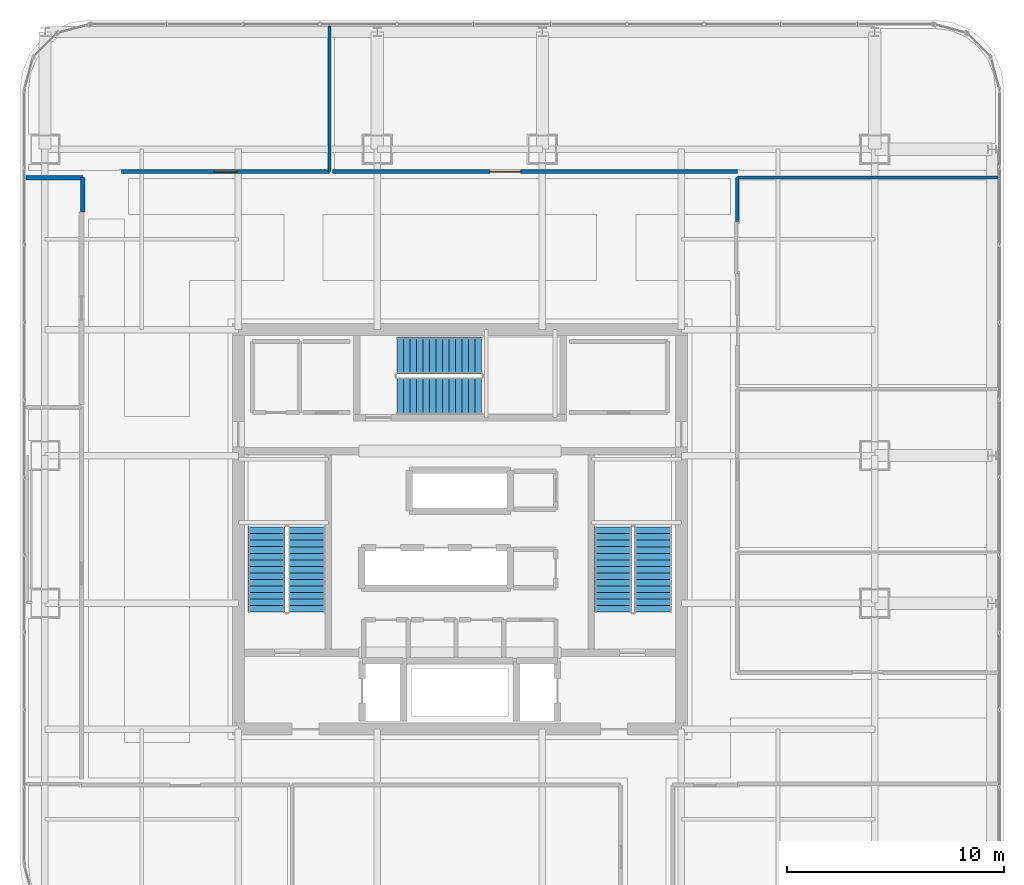
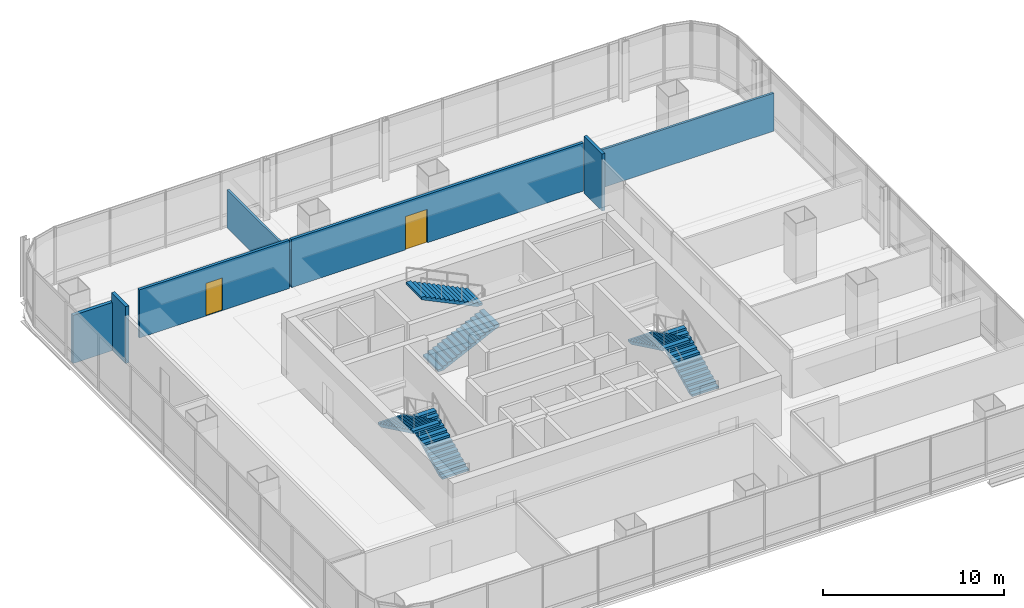
# One storey, part 35 of 42: 7 walls, 6 stair flights, 2 doors, 2 openings, 3 elements without a shape of their own.
"""IFC4 building model written with IfcOpenShell, lengths in metres."""

from ifc_helpers import new_model, si_unit, direction, frame, frame_2d, origin, place, context, subcontext, project, spatial, polyline, rectangle, outline, extrude, material, layer, layer_set, type_object, element, fill, aggregate, save


model = new_model("IFC4")

# Units and contexts
model_context = context("Model", 3, precision=1e-05, world=origin(), true_north=direction((0.0, 1.0)))
body_context = subcontext(model_context, "Body", "Model", "MODEL_VIEW")
ifc_project = project(units=[si_unit("LENGTHUNIT", "METRE"), si_unit("AREAUNIT", "SQUARE_METRE"), si_unit("VOLUMEUNIT", "CUBIC_METRE"), si_unit("PLANEANGLEUNIT", "RADIAN"), si_unit("MASSUNIT", "GRAM", prefix="KILO")], contexts=[model_context])

# Site, building, storey
site_placement = place(None, origin())
site = spatial("IfcSite", under=ifc_project, at=site_placement, CompositionType="ELEMENT")
building_placement = place(site_placement, origin())
building = spatial("IfcBuilding", under=site, at=building_placement, Name="Punatoya Terracotta Tower", CompositionType="ELEMENT")
storey_placement = place(building_placement, frame((0.0, 0.0, 263.550048828125)))
storey = spatial("IfcBuildingStorey", under=building, at=storey_placement, Name="L62", CompositionType="ELEMENT", Elevation=263.550048828125)

# Wall
ifc_material_1 = material(Name="Gypsum Fireboard + Steel Stud", Category="steel")
ifc_layer_1 = layer(ifc_material_1, 0.179931640625)
ifc_layer_set_1 = layer_set([ifc_layer_1], Name="Gypsum Fireboard + Steel Stud")
wall_type_1 = type_object("IfcWallType", Name="WL-CORR-180", PredefinedType="PARTITIONING", material=ifc_layer_set_1)
wall_1_placement = place(storey_placement, frame((12.77001953125, 14.179931640625, 0.0), z_axis=(0.0, 0.0, 1.0), x_axis=(0.0, 1.0, 0.0)))
element("IfcWall", 1, at=wall_1_placement, inside=storey, type_object=wall_type_1, Name="L62 Editorial Conference Room Partition 45", PredefinedType="PARTITIONING", context=body_context, shape_type="SweptSolid", body=[
    extrude(rectangle(XDim=2.010009765625, YDim=0.179931640625, at=frame_2d((1.0048828125, 0.0))), origin(), (0.0, 0.0, 1.0), 3.849853515625),
])

# Wall, opening, door
wall_2_placement = place(storey_placement, frame((-5.993896484375, 16.469970703125, 0.0), z_axis=(0.0, 0.0, 1.0), x_axis=(-1.0, 0.0, 0.0)))
wall_2 = element("IfcWall", 2, at=wall_2_placement, inside=storey, type_object=wall_type_1, Name="L62 Open-Plan Client Briefing Office Partition 48", PredefinedType="PARTITIONING", context=body_context, shape_type="SweptSolid", body=[
    extrude(rectangle(XDim=9.576171875, YDim=0.179931640625, at=frame_2d((4.7880859375, 0.0))), origin(), (0.0, 0.0, 1.0), 3.243896484375),
])
opening_1_placement = place(wall_2_placement, frame((4.262939453125, 0.0, 0.0)))
opening_1 = element("IfcOpeningElement", 3, at=opening_1_placement, cuts=wall_2, Name="Opening OD-01", PredefinedType="OPENING", context=body_context, shape_type="SweptSolid", body=[
    extrude(rectangle(XDim=1.050048828125, YDim=2.199951171875, at=frame_2d((0.52490234375, 1.10009765625))), frame((0.0, 0.099853515625, 0.0), z_axis=(0.0, -1.0, 0.0), x_axis=(1.0, 0.0, 0.0)), (0.0, 0.0, 1.0), 0.199951171875),
])
ifc_material_2 = material(Name="Bengal Teak Solid-Core Leaf")
door_type_1 = type_object("IfcDoorType", Name="DR-OFF-1050", OperationType="NOTDEFINED", PredefinedType="DOOR", material=ifc_material_2)
door_1_placement = place(opening_1_placement, origin())
door_1 = element("IfcDoor", 4, at=door_1_placement, inside=storey, type_object=door_type_1, Name="L62 Open-Plan Client Briefing Office Door", OperationType="SINGLE_SWING_RIGHT", OverallHeight=2.199951171875, OverallWidth=1.050048828125, PredefinedType="DOOR", context=body_context, shape_type="SweptSolid", body=[
    extrude(rectangle(XDim=1.050048828125, YDim=2.199951171875, at=frame_2d((0.52490234375, 1.10009765625))), frame((0.0, 0.02490234375, 0.0), z_axis=(0.0, -1.0, 0.0), x_axis=(1.0, 0.0, 0.0)), (0.0, 0.0, 1.0), 0.050048828125),
])
fill(opening_1, door_1)

wall_3_placement = place(storey_placement, frame((12.77001953125, 16.469970703125, 0.0), z_axis=(0.0, 0.0, 1.0), x_axis=(-1.0, 0.0, 0.0)))
wall_3 = element("IfcWall", 5, at=wall_3_placement, inside=storey, type_object=wall_type_1, Name="L62 Visualization Review Room Partition 49", PredefinedType="PARTITIONING", context=body_context, shape_type="SweptSolid", body=[
    extrude(rectangle(XDim=18.64404296875, YDim=0.179931640625, at=frame_2d((9.322021484375, 0.0))), origin(), (0.0, 0.0, 1.0), 3.243896484375),
])
opening_2_placement = place(wall_3_placement, frame((9.971923828125, 0.0, 0.0)))
opening_2 = element("IfcOpeningElement", 6, at=opening_2_placement, cuts=wall_3, Name="Opening BD-01", PredefinedType="OPENING", context=body_context, shape_type="SweptSolid", body=[
    extrude(rectangle(XDim=1.39990234375, YDim=2.25, at=frame_2d((0.699951171875, 1.125))), frame((0.0, 0.099853515625, 0.0), z_axis=(0.0, -1.0, 0.0), x_axis=(1.0, 0.0, 0.0)), (0.0, 0.0, 1.0), 0.199951171875),
])
ifc_material_3 = material(Name="Bengal Teak Acoustic Leaf")
door_type_2 = type_object("IfcDoorType", Name="DR-BRD-1400", OperationType="NOTDEFINED", PredefinedType="DOOR", material=ifc_material_3)
door_2_placement = place(opening_2_placement, origin())
door_2 = element("IfcDoor", 7, at=door_2_placement, inside=storey, type_object=door_type_2, Name="L62 Visualization Review Room Door", OperationType="SINGLE_SWING_LEFT", OverallHeight=2.25, OverallWidth=1.39990234375, PredefinedType="DOOR", context=body_context, shape_type="SweptSolid", body=[
    extrude(rectangle(XDim=1.39990234375, YDim=2.25, at=frame_2d((0.699951171875, 1.125))), frame((0.0, 0.02490234375, 0.0), z_axis=(0.0, -1.0, 0.0), x_axis=(1.0, 0.0, 0.0)), (0.0, 0.0, 1.0), 0.050048828125),
])
fill(opening_2, door_2)

# Walls
ifc_material_4 = material(Name="Concrete C40/50", Category="concrete")
ifc_layer_2 = layer(ifc_material_4, 0.219970703125)
ifc_layer_set_2 = layer_set([ifc_layer_2], Name="Concrete C40/50")
wall_type_2 = type_object("IfcWallType", Name="WL-FIR-220", PredefinedType="SOLIDWALL", material=ifc_layer_set_2)
wall_4_placement = place(storey_placement, frame((-19.969970703125, 16.18994140625, 0.0), z_axis=(0.0, 0.0, 1.0), x_axis=(1.0, 0.0, 0.0)))
element("IfcWall", 8, at=wall_4_placement, inside=storey, type_object=wall_type_2, Name="L62 Model-Making Archive Partition 40", PredefinedType="SOLIDWALL", context=body_context, shape_type="SweptSolid", body=[
    extrude(rectangle(XDim=2.60986328125, YDim=0.219970703125, at=frame_2d((1.304931640625, 0.0))), origin(), (0.0, 0.0, 1.0), 3.243896484375),
])
wall_5_placement = place(storey_placement, frame((-17.360107421875, 16.18994140625, 0.0), z_axis=(0.0, 0.0, 1.0), x_axis=(0.0, -1.0, 0.0)))
element("IfcWall", 9, at=wall_5_placement, inside=storey, type_object=wall_type_2, Name="L62 Model-Making Archive Partition 41", PredefinedType="SOLIDWALL", context=body_context, shape_type="SweptSolid", body=[
    extrude(rectangle(XDim=1.56982421875, YDim=0.219970703125, at=frame_2d((0.784912109375, 0.0))), origin(), (0.0, 0.0, 1.0), 3.849853515625),
])
ifc_material_5 = material(Name="Acoustic Gypsum + Steel Stud", Category="steel")
ifc_layer_3 = layer(ifc_material_5, 0.139892578125)
ifc_layer_set_3 = layer_set([ifc_layer_3], Name="Acoustic Gypsum + Steel Stud")
wall_type_3 = type_object("IfcWallType", Name="WL-OFF-140", PredefinedType="PARTITIONING", material=ifc_layer_set_3)
wall_6_placement = place(storey_placement, frame((12.77001953125, 16.18994140625, 0.0), z_axis=(0.0, 0.0, 1.0), x_axis=(1.0, 0.0, 0.0)))
element("IfcWall", 10, at=wall_6_placement, inside=storey, type_object=wall_type_3, Name="L62 Editorial Conference Room Partition 46", PredefinedType="PARTITIONING", context=body_context, shape_type="SweptSolid", body=[
    extrude(rectangle(XDim=12.0, YDim=0.139892578125, at=frame_2d((6.0, 0.0))), origin(), (0.0, 0.0, 1.0), 2.56396484375),
])
wall_7_placement = place(storey_placement, frame((-5.993896484375, 23.169921875, 0.0), z_axis=(0.0, 0.0, 1.0), x_axis=(0.0, -1.0, 0.0)))
element("IfcWall", 11, at=wall_7_placement, inside=storey, type_object=wall_type_3, Name="L62 Open-Plan Client Briefing Office Partition 47", PredefinedType="PARTITIONING", context=body_context, shape_type="SweptSolid", body=[
    extrude(rectangle(XDim=6.699951171875, YDim=0.139892578125, at=frame_2d((3.35009765625, 0.0))), origin(), (0.0, 0.0, 1.0), 2.56396484375),
])

# Stair, stair flights
stair_type_1 = type_object("IfcStairType", Name="STR-CORE-1550", PredefinedType="HALF_TURN_STAIR", material=ifc_material_4)
stair_1_placement = place(storey_placement, origin())
stair_1 = element("IfcStair", 12, at=stair_1_placement, inside=storey, type_object=stair_type_1, Name="L62 Protected Core Exit Stair ST-1", PredefinedType="HALF_TURN_STAIR")
stair_flight_type_1 = type_object("IfcStairFlightType", Name="SFL-CORE-1550", PredefinedType="STRAIGHT", material=ifc_material_4)
stair_flight_1_placement = place(storey_placement, frame((-7.050048828125, -3.800048828125, 0.0), z_axis=(0.0, 0.0, 1.0), x_axis=(0.0, 1.0, 0.0)))
stair_flight_1 = element("IfcStairFlight", 13, at=stair_flight_1_placement, type_object=stair_flight_type_1, Name="ST-1 flight 1", NumberOfRisers=14, NumberOfTreads=13, PredefinedType="STRAIGHT", RiserHeight=0.144642857, TreadLength=0.3, context=body_context, shape_type="SweptSolid", body=[
    extrude(outline(polyline([(0.0, 0.0), (0.0, 0.14453125), (0.300048828125, 0.14453125), (0.300048828125, 0.289306640625), (0.60009765625, 0.289306640625), (0.60009765625, 0.433837890625), (0.89990234375, 0.433837890625), (0.89990234375, 0.57861328125), (1.199951171875, 0.57861328125), (1.199951171875, 0.72314453125), (1.5, 0.72314453125), (1.5, 0.867919921875), (1.800048828125, 0.867919921875), (1.800048828125, 1.012451171875), (2.10009765625, 1.012451171875), (2.10009765625, 1.1572265625), (2.39990234375, 1.1572265625), (2.39990234375, 1.3017578125), (2.699951171875, 1.3017578125), (2.699951171875, 1.446533203125), (3.0, 1.446533203125), (3.0, 1.591064453125), (3.300048828125, 1.591064453125), (3.300048828125, 1.735595703125), (3.60009765625, 1.735595703125), (3.60009765625, 1.88037109375), (3.89990234375, 1.88037109375), (3.89990234375, 2.02490234375), (3.89990234375, 1.7138671875), (0.34521484375, 0.0), (0.0, 0.0)])), frame((0.0, 0.85009765625, 0.0), z_axis=(0.0, -1.0, 0.0), x_axis=(1.0, 0.0, 0.0)), (0.0, 0.0, 1.0), 1.699951171875),
])
stair_flight_2_placement = place(storey_placement, frame((-8.89990234375, 0.10009765625, 2.02490234375), z_axis=(0.0, 0.0, 1.0), x_axis=(0.0, -1.0, 0.0)))
stair_flight_2 = element("IfcStairFlight", 14, at=stair_flight_2_placement, type_object=stair_flight_type_1, Name="ST-1 flight 2", NumberOfRisers=14, NumberOfTreads=13, PredefinedType="STRAIGHT", RiserHeight=0.144642857, TreadLength=0.3, context=body_context, shape_type="SweptSolid", body=[
    extrude(outline(polyline([(0.0, 0.0), (0.0, 0.14453125), (0.300048828125, 0.14453125), (0.300048828125, 0.289306640625), (0.60009765625, 0.289306640625), (0.60009765625, 0.433837890625), (0.89990234375, 0.433837890625), (0.89990234375, 0.57861328125), (1.199951171875, 0.57861328125), (1.199951171875, 0.72314453125), (1.5, 0.72314453125), (1.5, 0.867919921875), (1.800048828125, 0.867919921875), (1.800048828125, 1.012451171875), (2.10009765625, 1.012451171875), (2.10009765625, 1.1572265625), (2.39990234375, 1.1572265625), (2.39990234375, 1.3017578125), (2.699951171875, 1.3017578125), (2.699951171875, 1.446533203125), (3.0, 1.446533203125), (3.0, 1.591064453125), (3.300048828125, 1.591064453125), (3.300048828125, 1.735595703125), (3.60009765625, 1.735595703125), (3.60009765625, 1.88037109375), (3.89990234375, 1.88037109375), (3.89990234375, 2.02490234375), (3.89990234375, 1.7138671875), (0.34521484375, 0.0), (0.0, 0.0)])), frame((0.0, 0.85009765625, 0.0), z_axis=(0.0, -1.0, 0.0), x_axis=(1.0, 0.0, 0.0)), (0.0, 0.0, 1.0), 1.699951171875),
])
aggregate(stair_1, [stair_flight_1, stair_flight_2])

stair_type_2 = type_object("IfcStairType", Name="STR-LOB-1650", PredefinedType="HALF_TURN_STAIR", material=ifc_material_4)
stair_2_placement = place(storey_placement, origin())
stair_2 = element("IfcStair", 15, at=stair_2_placement, inside=storey, type_object=stair_type_2, Name="L62 Protected Core Exit Stair ST-2", PredefinedType="HALF_TURN_STAIR")
stair_flight_type_2 = type_object("IfcStairFlightType", Name="SFL-LOB-1650", PredefinedType="STRAIGHT", material=ifc_material_4)
stair_flight_3_placement = place(storey_placement, frame((8.89990234375, -3.800048828125, 0.0), z_axis=(0.0, 0.0, 1.0), x_axis=(0.0, 1.0, 0.0)))
stair_flight_3 = element("IfcStairFlight", 16, at=stair_flight_3_placement, type_object=stair_flight_type_2, Name="ST-2 flight 1", NumberOfRisers=14, NumberOfTreads=13, PredefinedType="STRAIGHT", RiserHeight=0.144642857, TreadLength=0.3, context=body_context, shape_type="SweptSolid", body=[
    extrude(outline(polyline([(0.0, 0.0), (0.0, 0.14453125), (0.300048828125, 0.14453125), (0.300048828125, 0.289306640625), (0.60009765625, 0.289306640625), (0.60009765625, 0.433837890625), (0.89990234375, 0.433837890625), (0.89990234375, 0.57861328125), (1.199951171875, 0.57861328125), (1.199951171875, 0.72314453125), (1.5, 0.72314453125), (1.5, 0.867919921875), (1.800048828125, 0.867919921875), (1.800048828125, 1.012451171875), (2.10009765625, 1.012451171875), (2.10009765625, 1.1572265625), (2.39990234375, 1.1572265625), (2.39990234375, 1.3017578125), (2.699951171875, 1.3017578125), (2.699951171875, 1.446533203125), (3.0, 1.446533203125), (3.0, 1.591064453125), (3.300048828125, 1.591064453125), (3.300048828125, 1.735595703125), (3.60009765625, 1.735595703125), (3.60009765625, 1.88037109375), (3.89990234375, 1.88037109375), (3.89990234375, 2.02490234375), (3.89990234375, 1.7138671875), (0.34521484375, 0.0), (0.0, 0.0)])), frame((0.0, 0.85009765625, 0.0), z_axis=(0.0, -1.0, 0.0), x_axis=(1.0, 0.0, 0.0)), (0.0, 0.0, 1.0), 1.699951171875),
])
stair_flight_4_placement = place(storey_placement, frame((7.050048828125, 0.10009765625, 2.02490234375), z_axis=(0.0, 0.0, 1.0), x_axis=(0.0, -1.0, 0.0)))
stair_flight_4 = element("IfcStairFlight", 17, at=stair_flight_4_placement, type_object=stair_flight_type_2, Name="ST-2 flight 2", NumberOfRisers=14, NumberOfTreads=13, PredefinedType="STRAIGHT", RiserHeight=0.144642857, TreadLength=0.3, context=body_context, shape_type="SweptSolid", body=[
    extrude(outline(polyline([(0.0, 0.0), (0.0, 0.14453125), (0.300048828125, 0.14453125), (0.300048828125, 0.289306640625), (0.60009765625, 0.289306640625), (0.60009765625, 0.433837890625), (0.89990234375, 0.433837890625), (0.89990234375, 0.57861328125), (1.199951171875, 0.57861328125), (1.199951171875, 0.72314453125), (1.5, 0.72314453125), (1.5, 0.867919921875), (1.800048828125, 0.867919921875), (1.800048828125, 1.012451171875), (2.10009765625, 1.012451171875), (2.10009765625, 1.1572265625), (2.39990234375, 1.1572265625), (2.39990234375, 1.3017578125), (2.699951171875, 1.3017578125), (2.699951171875, 1.446533203125), (3.0, 1.446533203125), (3.0, 1.591064453125), (3.300048828125, 1.591064453125), (3.300048828125, 1.735595703125), (3.60009765625, 1.735595703125), (3.60009765625, 1.88037109375), (3.89990234375, 1.88037109375), (3.89990234375, 2.02490234375), (3.89990234375, 1.7138671875), (0.34521484375, 0.0), (0.0, 0.0)])), frame((0.0, 0.85009765625, 0.0), z_axis=(0.0, -1.0, 0.0), x_axis=(1.0, 0.0, 0.0)), (0.0, 0.0, 1.0), 1.699951171875),
])
aggregate(stair_2, [stair_flight_3, stair_flight_4])

stair_type_3 = type_object("IfcStairType", Name="STR-TER-1450", PredefinedType="HALF_TURN_STAIR", material=ifc_material_4)
stair_3_placement = place(storey_placement, origin())
stair_3 = element("IfcStair", 18, at=stair_3_placement, inside=storey, type_object=stair_type_3, Name="L62 Protected Core Exit Stair ST-3", PredefinedType="HALF_TURN_STAIR")
stair_flight_type_3 = type_object("IfcStairFlightType", Name="SFL-TER-1450", PredefinedType="STRAIGHT", material=ifc_material_4)
stair_flight_5_placement = place(storey_placement, frame((-2.89990234375, 6.14990234375, 0.0), z_axis=(0.0, 0.0, 1.0), x_axis=(1.0, 0.0, 0.0)))
stair_flight_5 = element("IfcStairFlight", 19, at=stair_flight_5_placement, type_object=stair_flight_type_3, Name="ST-3 flight 1", NumberOfRisers=14, NumberOfTreads=13, PredefinedType="STRAIGHT", RiserHeight=0.144642857, TreadLength=0.3, context=body_context, shape_type="SweptSolid", body=[
    extrude(outline(polyline([(0.0, 0.0), (0.0, 0.14453125), (0.300048828125, 0.14453125), (0.300048828125, 0.289306640625), (0.60009765625, 0.289306640625), (0.60009765625, 0.433837890625), (0.89990234375, 0.433837890625), (0.89990234375, 0.57861328125), (1.199951171875, 0.57861328125), (1.199951171875, 0.72314453125), (1.5, 0.72314453125), (1.5, 0.867919921875), (1.800048828125, 0.867919921875), (1.800048828125, 1.012451171875), (2.10009765625, 1.012451171875), (2.10009765625, 1.1572265625), (2.39990234375, 1.1572265625), (2.39990234375, 1.3017578125), (2.699951171875, 1.3017578125), (2.699951171875, 1.446533203125), (3.0, 1.446533203125), (3.0, 1.591064453125), (3.300048828125, 1.591064453125), (3.300048828125, 1.735595703125), (3.60009765625, 1.735595703125), (3.60009765625, 1.88037109375), (3.89990234375, 1.88037109375), (3.89990234375, 2.02490234375), (3.89990234375, 1.7138671875), (0.34521484375, 0.0), (0.0, 0.0)])), frame((0.0, 0.85009765625, 0.0), z_axis=(0.0, -1.0, 0.0), x_axis=(1.0, 0.0, 0.0)), (0.0, 0.0, 1.0), 1.699951171875),
])
stair_flight_6_placement = place(storey_placement, frame((1.0, 8.0, 2.02490234375), z_axis=(0.0, 0.0, 1.0), x_axis=(-1.0, 0.0, 0.0)))
stair_flight_6 = element("IfcStairFlight", 20, at=stair_flight_6_placement, type_object=stair_flight_type_3, Name="ST-3 flight 2", NumberOfRisers=14, NumberOfTreads=13, PredefinedType="STRAIGHT", RiserHeight=0.144642857, TreadLength=0.3, context=body_context, shape_type="SweptSolid", body=[
    extrude(outline(polyline([(0.0, 0.0), (0.0, 0.14453125), (0.300048828125, 0.14453125), (0.300048828125, 0.289306640625), (0.60009765625, 0.289306640625), (0.60009765625, 0.433837890625), (0.89990234375, 0.433837890625), (0.89990234375, 0.57861328125), (1.199951171875, 0.57861328125), (1.199951171875, 0.72314453125), (1.5, 0.72314453125), (1.5, 0.867919921875), (1.800048828125, 0.867919921875), (1.800048828125, 1.012451171875), (2.10009765625, 1.012451171875), (2.10009765625, 1.1572265625), (2.39990234375, 1.1572265625), (2.39990234375, 1.3017578125), (2.699951171875, 1.3017578125), (2.699951171875, 1.446533203125), (3.0, 1.446533203125), (3.0, 1.591064453125), (3.300048828125, 1.591064453125), (3.300048828125, 1.735595703125), (3.60009765625, 1.735595703125), (3.60009765625, 1.88037109375), (3.89990234375, 1.88037109375), (3.89990234375, 2.02490234375), (3.89990234375, 1.7138671875), (0.34521484375, 0.0), (0.0, 0.0)])), frame((0.0, 0.85009765625, 0.0), z_axis=(0.0, -1.0, 0.0), x_axis=(1.0, 0.0, 0.0)), (0.0, 0.0, 1.0), 1.699951171875),
])
aggregate(stair_3, [stair_flight_5, stair_flight_6])

save(model, "model.ifc")
